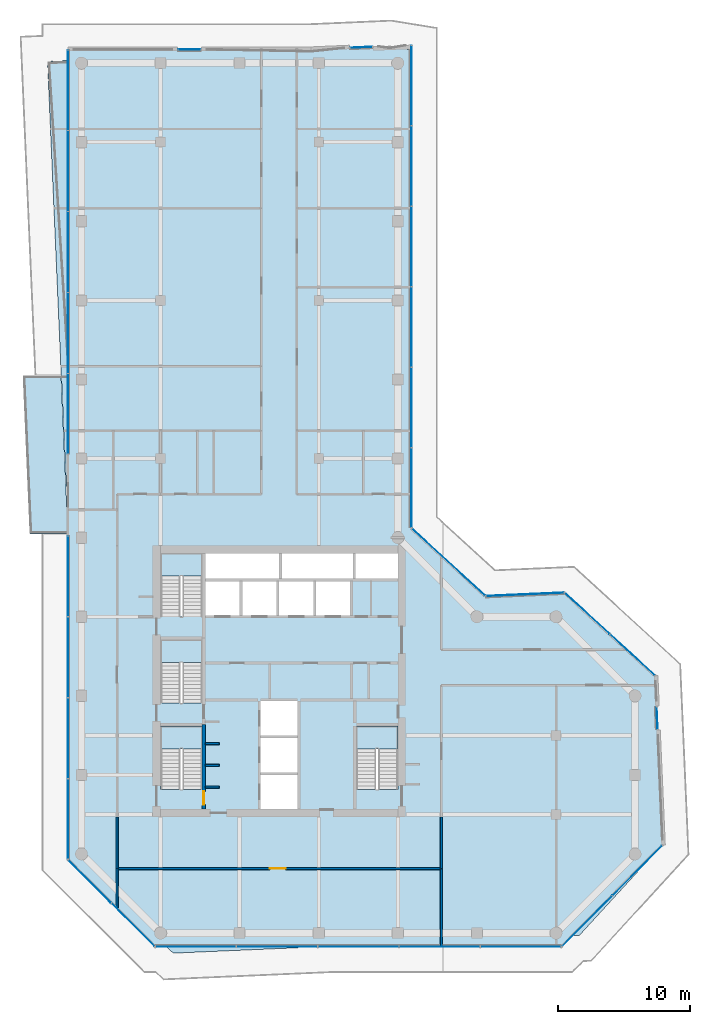
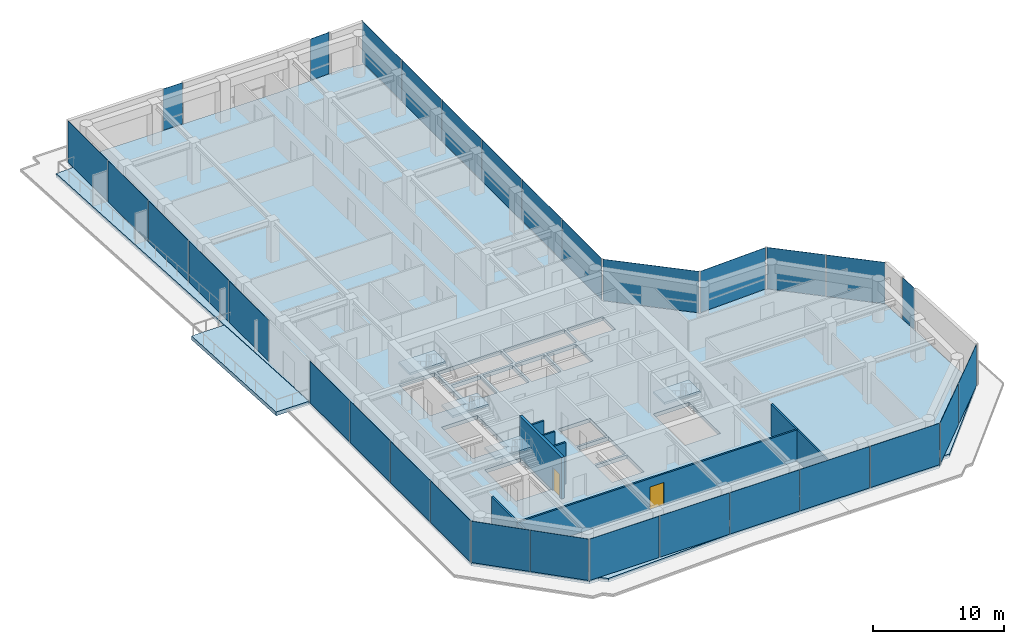
# One storey, part 16 of 21: 31 plates, 9 walls, 6 slabs, 2 doors, 2 openings, 16 elements without a shape of their own.
"""IFC4 building model written with IfcOpenShell, lengths in metres."""

import ifcopenshell
import ifcopenshell.guid

model = None  # the IFC model being written
_history = None  # IfcOwnerHistory: only IFC2X3 demands one
_inside = {}  # id of a spatial element -> (the spatial element, [elements in it])
_under = {}  # id of a project, library or spatial element -> (it, [spatial elements below it])
_declared = {}  # id of a project -> (the project, [libraries it declares])
_typed = {}  # id of a type object -> (the type object, [elements of that type])
_made_of = {}  # id of a material, layer set ... -> (it, [elements and type objects made of it])


def new_model(schema):
    """Start an empty IFC model of exactly this schema.

    Asked for "IFC4X3", IfcOpenShell would pick the latest addendum, in which some entities
    have other attributes; the version numbers below select the first issue.
    IFC2X3 requires an IfcOwnerHistory on every rooted entity: one is made here for all.
    """
    global model, _history
    if schema == "IFC4X3":
        model = ifcopenshell.file(schema_version=(4, 3, 0, 0))
    else:
        model = ifcopenshell.file(schema=schema)
    _inside.clear()
    _under.clear()
    _declared.clear()
    _typed.clear()
    _made_of.clear()
    _history = None
    if model.schema == "IFC2X3":
        org = make("IfcOrganization", Name="unknown")
        user = make(
            "IfcPersonAndOrganization",
            ThePerson=make("IfcPerson", FamilyName="unknown"),
            TheOrganization=org,
        )
        app = make(
            "IfcApplication",
            ApplicationDeveloper=org,
            Version="unknown",
            ApplicationFullName="unknown",
            ApplicationIdentifier="unknown",
        )
        _history = make(
            "IfcOwnerHistory",
            OwningUser=user,
            OwningApplication=app,
            ChangeAction="ADDED",
            CreationDate=0,
        )
    return model


def make(cls, **values):
    """One entity of the class cls with the attributes given. An attribute that is None is left unset."""
    return model.create_entity(
        cls, **{name: value for name, value in values.items() if value is not None}
    )


def rooted(cls, **values):
    """An entity with a GlobalId (a new one), such as an element, a storey or a relation."""
    return make(cls, GlobalId=ifcopenshell.guid.new(), OwnerHistory=_history, **values)


def si_unit(unit_type, name, prefix=None):
    """IfcSIUnit, for example si_unit("LENGTHUNIT", "METRE", prefix="MILLI")."""
    return make("IfcSIUnit", UnitType=unit_type, Prefix=prefix, Name=name)


def assignment(units):
    """IfcUnitAssignment: the units of a project."""
    return None if units is None else make("IfcUnitAssignment", Units=units)


def point(xyz):
    """IfcCartesianPoint."""
    return None if xyz is None else make("IfcCartesianPoint", Coordinates=xyz)


def direction(xyz):
    """IfcDirection."""
    return None if xyz is None else make("IfcDirection", DirectionRatios=xyz)


def frame(location, z_axis=None, x_axis=None):
    """IfcAxis2Placement3D, a coordinate frame: its origin and axes. An axis left out is left unset."""
    return make(
        "IfcAxis2Placement3D",
        Location=point(location),
        Axis=direction(z_axis),
        RefDirection=direction(x_axis),
    )


def frame_2d(location, x_axis=None):
    """IfcAxis2Placement2D, a coordinate frame in the plane: its origin and x axis."""
    return make(
        "IfcAxis2Placement2D", Location=point(location), RefDirection=direction(x_axis)
    )


def origin():
    """The frame at (0, 0, 0) with its axes left unset."""
    return frame((0.0, 0.0, 0.0))


def origin_2d():
    """The frame at (0, 0) in the plane with its x axis left unset."""
    return frame_2d((0.0, 0.0))


def place(relative_to, where):
    """IfcLocalPlacement: puts the frame where relative to a parent placement (None: the world)."""
    return make(
        "IfcLocalPlacement", PlacementRelTo=relative_to, RelativePlacement=where
    )


def context(
    kind, dimensions, precision=None, world=None, true_north=None, identifier=None
):
    """IfcGeometricRepresentationContext, for example the 3D "Model" context."""
    return make(
        "IfcGeometricRepresentationContext",
        ContextIdentifier=identifier,
        ContextType=kind,
        CoordinateSpaceDimension=dimensions,
        Precision=precision,
        WorldCoordinateSystem=world,
        TrueNorth=true_north,
    )


def subcontext(parent, identifier, kind, view, scale=None):
    """IfcGeometricRepresentationSubContext, for example "Body" below "Model"."""
    return make(
        "IfcGeometricRepresentationSubContext",
        ContextIdentifier=identifier,
        ContextType=kind,
        ParentContext=parent,
        TargetScale=scale,
        TargetView=view,
    )


def project(units=None, contexts=None):
    """IfcProject with its units and contexts."""
    return rooted(
        "IfcProject",
        Name="project",
        RepresentationContexts=contexts,
        UnitsInContext=assignment(units),
    )


def spatial(cls, under=None, at=None, **own):
    """A site, building, storey or space (cls), placed at a placement, below another one or the project."""
    s = rooted(cls, ObjectPlacement=at, **own)
    if under is not None:
        _under.setdefault(under.id(), (under, []))[1].append(s)
    return s


def polyline(points):
    """IfcPolyline through the points."""
    return make("IfcPolyline", Points=[point(p) for p in points])


def profile(cls, at=None, kind="AREA", **sizes):
    """A parametric profile (cls). Its sizes go by their IFC names, for example OverallWidth=200.0."""
    return make(cls, ProfileType=kind, Position=at, **sizes)


def rectangle(**sizes):
    """IfcRectangleProfileDef."""
    return profile("IfcRectangleProfileDef", **sizes)


def outline(outer, holes=None, kind="AREA"):
    """IfcArbitraryClosedProfileDef: a profile drawn as a closed curve; with holes, ...WithVoids."""
    if holes is None:
        return make("IfcArbitraryClosedProfileDef", ProfileType=kind, OuterCurve=outer)
    return make(
        "IfcArbitraryProfileDefWithVoids",
        ProfileType=kind,
        OuterCurve=outer,
        InnerCurves=holes,
    )


def extrude(swept, where, along, depth):
    """IfcExtrudedAreaSolid: the profile swept, set in the frame where, extruded along a direction by depth."""
    return make(
        "IfcExtrudedAreaSolid",
        SweptArea=swept,
        Position=where,
        ExtrudedDirection=direction(along),
        Depth=depth,
    )


def shape(context_of_items, identifier, shape_type, items):
    """IfcShapeRepresentation: the items that make up one representation, for example the "Body"."""
    return make(
        "IfcShapeRepresentation",
        ContextOfItems=context_of_items,
        RepresentationIdentifier=identifier,
        RepresentationType=shape_type,
        Items=items,
    )


def material(Name=None, Category=None):
    """IfcMaterial."""
    return make("IfcMaterial", Name=Name, Category=Category)


def layer(
    of_material, thickness, ventilated=None, Name=None, Category=None, Priority=None
):
    """IfcMaterialLayer: one layer of a wall or slab, of a material (None: an air gap)."""
    return make(
        "IfcMaterialLayer",
        Material=of_material,
        LayerThickness=thickness,
        IsVentilated=ventilated,
        Name=Name,
        Category=Category,
        Priority=Priority,
    )


def layer_set(layers, Name=None):
    """IfcMaterialLayerSet."""
    return make("IfcMaterialLayerSet", MaterialLayers=layers, LayerSetName=Name)


def made_of(thing, what):
    """Note that an element or type object is made of a material, layer set ...; save() writes the relation."""
    if what is not None:
        _made_of.setdefault(what.id(), (what, []))[1].append(thing)
    return thing


def type_object(cls, material=None, **own):
    """A type object (cls), such as IfcWallType, which elements share."""
    return made_of(rooted(cls, **own), material)


def element(
    cls,
    number,
    at=None,
    inside=None,
    cuts=None,
    type_object=None,
    material=None,
    context=None,
    identifier="Body",
    shape_type=None,
    held_by="IfcProductDefinitionShape",
    body=None,
    shapes=None,
    **own,
):
    """One element of the class cls, such as IfcWall. Its Tag is "e" and its number.

    at: its placement. inside: the storey or other place that contains it. cuts: it is an
    opening in that element (IfcRelVoidsElement). A single representation is given by context,
    identifier, shape_type and body (its items); several are given by shapes. held_by: the class
    of the entity that holds the representations. save() writes the other relations.
    """
    e = rooted(cls, Tag="e%d" % number, ObjectPlacement=at, **own)
    if body is not None:
        shapes = [shape(context, identifier, shape_type, body)]
    if shapes is not None:
        e.Representation = make(held_by, Representations=shapes)
    if inside is not None:
        _inside.setdefault(inside.id(), (inside, []))[1].append(e)
    if cuts is not None:
        rooted(
            "IfcRelVoidsElement", RelatingBuildingElement=cuts, RelatedOpeningElement=e
        )
    if type_object is not None:
        _typed.setdefault(type_object.id(), (type_object, []))[1].append(e)
    return made_of(e, material)


def fill(opening, filler):
    """IfcRelFillsElement: the door or window that sits in an opening."""
    return rooted(
        "IfcRelFillsElement",
        RelatingOpeningElement=opening,
        RelatedBuildingElement=filler,
    )


def aggregate(whole, parts):
    """IfcRelAggregates: a whole, such as a stair, and the parts it consists of."""
    return rooted("IfcRelAggregates", RelatingObject=whole, RelatedObjects=parts)


def save(model, path):
    """Write the relations noted so far, then the file.

    IfcRelAggregates (storeys below a building ...), IfcRelContainedInSpatialStructure (elements
    in a storey), IfcRelDefinesByType, IfcRelAssociatesMaterial and IfcRelDeclares: one each for
    every whole, place, type object, material and project.
    """
    for whole, parts in _under.values():
        aggregate(whole, parts)
    for where, things in _inside.values():
        rooted(
            "IfcRelContainedInSpatialStructure",
            RelatedElements=things,
            RelatingStructure=where,
        )
    for kind, things in _typed.values():
        rooted("IfcRelDefinesByType", RelatedObjects=things, RelatingType=kind)
    for what, things in _made_of.values():
        rooted("IfcRelAssociatesMaterial", RelatedObjects=things, RelatingMaterial=what)
    for by, libraries in _declared.values():
        rooted("IfcRelDeclares", RelatingContext=by, RelatedDefinitions=libraries)
    model.write(path)


model = new_model("IFC4")

# Units and contexts
model_context = context("Model", 3, precision=1e-05, world=origin(), true_north=direction((0.0, 1.0)))
body_context = subcontext(model_context, "Body", "Model", "MODEL_VIEW")
ifc_project = project(units=[si_unit("LENGTHUNIT", "METRE"), si_unit("AREAUNIT", "SQUARE_METRE"), si_unit("VOLUMEUNIT", "CUBIC_METRE"), si_unit("PLANEANGLEUNIT", "RADIAN"), si_unit("MASSUNIT", "GRAM", prefix="KILO")], contexts=[model_context])

# Site, building, storey
site_placement = place(None, origin())
site = spatial("IfcSite", under=ifc_project, at=site_placement, CompositionType="ELEMENT")
building_placement = place(site_placement, origin())
building = spatial("IfcBuilding", under=site, at=building_placement, Name="Welwitschia Terrace Campus", CompositionType="ELEMENT")
storey_placement = place(building_placement, frame((0.0, 0.0, 180.199951171875)))
storey = spatial("IfcBuildingStorey", under=building, at=storey_placement, Name="L40", CompositionType="ELEMENT", Elevation=180.199951171875)

# Curtain wall, plates
ifc_material_1 = material(Name="Bronze anodised aluminium", Category="aluminium")
ifc_layer_1 = layer(ifc_material_1, 0.1201171875)
ifc_layer_set_1 = layer_set([ifc_layer_1], Name="Bronze anodised aluminium")
curtain_wall_type = type_object("IfcCurtainWallType", Name="Curtain wall CW2 tower 6000", PredefinedType="NOTDEFINED", material=ifc_layer_set_1)
curtain_wall_1_placement = place(storey_placement, origin())
curtain_wall_1 = element("IfcCurtainWall", 1, at=curtain_wall_1_placement, inside=storey, type_object=curtain_wall_type, Name="CW L40.0.0", PredefinedType="NOTDEFINED")
ifc_material_2 = material(Name="Tinted bronze-grey glass", Category="glass")
ifc_layer_2 = layer(ifc_material_2, 0.028076171875)
ifc_layer_set_2 = layer_set([ifc_layer_2], Name="Tinted bronze-grey glass")
plate_type = type_object("IfcPlateType", Name="Glass panel 28 tinted", PredefinedType="CURTAIN_PANEL", material=ifc_layer_set_2)
plate_1_placement = place(storey_placement, frame((0.63134765625, -0.088134765625, 0.0), z_axis=(0.0, 0.0, 1.0), x_axis=(0.707106781187, -0.707106781187, 0.0)))
plate_1 = element("IfcPlate", 2, at=plate_1_placement, type_object=plate_type, Name="Panel L40.0.0.0", PredefinedType="CURTAIN_PANEL", context=body_context, shape_type="SweptSolid", body=[
    extrude(rectangle(XDim=4.579345703125, YDim=0.028076171875, at=origin_2d()), origin(), (0.0, 0.0, 1.0), 3.85009765625),
])
plate_2_placement = place(storey_placement, frame((3.911865234375, -3.36865234375, 0.0), z_axis=(0.0, 0.0, 1.0), x_axis=(0.707106781187, -0.707106781187, 0.0)))
plate_2 = element("IfcPlate", 3, at=plate_2_placement, type_object=plate_type, Name="Panel L40.0.0.1", PredefinedType="CURTAIN_PANEL", context=body_context, shape_type="SweptSolid", body=[
    extrude(rectangle(XDim=4.579345703125, YDim=0.028076171875, at=origin_2d()), origin(), (0.0, 0.0, 1.0), 3.85009765625),
])
aggregate(curtain_wall_1, [plate_1, plate_2])

curtain_wall_2_placement = place(storey_placement, origin())
curtain_wall_2 = element("IfcCurtainWall", 4, at=curtain_wall_2_placement, inside=storey, type_object=curtain_wall_type, Name="CW L40.1.0", PredefinedType="NOTDEFINED")
plate_3_placement = place(storey_placement, frame((8.673583984375, -5.030029296875, 0.0), z_axis=(0.0, 0.0, 1.0), x_axis=(1.0, 0.0, 0.0)))
plate_3 = element("IfcPlate", 5, at=plate_3_placement, type_object=plate_type, Name="Panel L40.1.0.0", PredefinedType="CURTAIN_PANEL", context=body_context, shape_type="SweptSolid", body=[
    extrude(rectangle(XDim=6.08056640625, YDim=0.028076171875, at=origin_2d()), origin(), (0.0, 0.0, 1.0), 3.85009765625),
])
plate_4_placement = place(storey_placement, frame((14.829345703125, -5.030029296875, 0.0), z_axis=(0.0, 0.0, 1.0), x_axis=(1.0, 0.0, 0.0)))
plate_4 = element("IfcPlate", 6, at=plate_4_placement, type_object=plate_type, Name="Panel L40.1.0.1", PredefinedType="CURTAIN_PANEL", context=body_context, shape_type="SweptSolid", body=[
    extrude(rectangle(XDim=6.110595703125, YDim=0.028076171875, at=origin_2d()), origin(), (0.0, 0.0, 1.0), 3.85009765625),
])
plate_5_placement = place(storey_placement, frame((21.0, -5.030029296875, 0.0), z_axis=(0.0, 0.0, 1.0), x_axis=(1.0, 0.0, 0.0)))
plate_5 = element("IfcPlate", 7, at=plate_5_placement, type_object=plate_type, Name="Panel L40.1.0.2", PredefinedType="CURTAIN_PANEL", context=body_context, shape_type="SweptSolid", body=[
    extrude(rectangle(XDim=6.110595703125, YDim=0.028076171875, at=origin_2d()), origin(), (0.0, 0.0, 1.0), 3.85009765625),
])
plate_6_placement = place(storey_placement, frame((27.170654296875, -5.030029296875, 0.0), z_axis=(0.0, 0.0, 1.0), x_axis=(1.0, 0.0, 0.0)))
plate_6 = element("IfcPlate", 8, at=plate_6_placement, type_object=plate_type, Name="Panel L40.1.0.3", PredefinedType="CURTAIN_PANEL", context=body_context, shape_type="SweptSolid", body=[
    extrude(rectangle(XDim=6.110595703125, YDim=0.028076171875, at=origin_2d()), origin(), (0.0, 0.0, 1.0), 3.85009765625),
])
plate_7_placement = place(storey_placement, frame((33.326416015625, -5.030029296875, 0.0), z_axis=(0.0, 0.0, 1.0), x_axis=(1.0, 0.0, 0.0)))
plate_7 = element("IfcPlate", 9, at=plate_7_placement, type_object=plate_type, Name="Panel L40.1.0.4", PredefinedType="CURTAIN_PANEL", context=body_context, shape_type="SweptSolid", body=[
    extrude(rectangle(XDim=6.08056640625, YDim=0.028076171875, at=origin_2d()), origin(), (0.0, 0.0, 1.0), 3.85009765625),
])
aggregate(curtain_wall_2, [plate_3, plate_4, plate_5, plate_6, plate_7])

curtain_wall_3_placement = place(storey_placement, origin())
curtain_wall_3 = element("IfcCurtainWall", 10, at=curtain_wall_3_placement, inside=storey, type_object=curtain_wall_type, Name="CW L40.2.0", PredefinedType="NOTDEFINED")
plate_8_placement = place(storey_placement, frame((38.353515625, -3.092041015625, 0.0), z_axis=(0.0, 0.0, 1.0), x_axis=(0.705048801314, 0.709158788823, 0.0)))
plate_8 = element("IfcPlate", 11, at=plate_8_placement, type_object=plate_type, Name="Panel L40.2.0.0", PredefinedType="CURTAIN_PANEL", context=body_context, shape_type="SweptSolid", body=[
    extrude(rectangle(XDim=5.345703125, YDim=0.028076171875, at=origin_2d()), origin(), (0.0, 0.0, 1.0), 3.85009765625),
])
plate_9_placement = place(storey_placement, frame((42.16455078125, 0.741455078125, 0.0), z_axis=(0.0, 0.0, 1.0), x_axis=(0.705048801314, 0.709158788823, 0.0)))
plate_9 = element("IfcPlate", 12, at=plate_9_placement, type_object=plate_type, Name="Panel L40.2.0.1", PredefinedType="CURTAIN_PANEL", context=body_context, shape_type="SweptSolid", body=[
    extrude(rectangle(XDim=5.345703125, YDim=0.028076171875, at=origin_2d()), origin(), (0.0, 0.0, 1.0), 3.85009765625),
])
aggregate(curtain_wall_3, [plate_8, plate_9])

# Curtain wall, plate
curtain_wall_4_placement = place(storey_placement, origin())
curtain_wall_4 = element("IfcCurtainWall", 13, at=curtain_wall_4_placement, inside=storey, type_object=curtain_wall_type, Name="CW L40.3.S0", PredefinedType="NOTDEFINED")
plate_10_placement = place(storey_placement, frame((43.6708984375, 12.310302734375, 0.0), z_axis=(0.0, 0.0, 1.0), x_axis=(-0.043619387365, 0.999048221582, 0.0)))
plate_10 = element("IfcPlate", 14, at=plate_10_placement, type_object=plate_type, Name="Panel L40.3.S0.0", PredefinedType="CURTAIN_PANEL", context=body_context, shape_type="SweptSolid", body=[
    extrude(rectangle(XDim=1.679931640625, YDim=0.028076171875, at=origin_2d()), origin(), (0.0, 0.0, 1.0), 3.85009765625),
])
aggregate(curtain_wall_4, [plate_10])

# Curtain wall, plates
curtain_wall_5_placement = place(storey_placement, origin())
curtain_wall_5 = element("IfcCurtainWall", 15, at=curtain_wall_5_placement, inside=storey, type_object=curtain_wall_type, Name="CW L40.4.0", PredefinedType="NOTDEFINED")
plate_11_placement = place(storey_placement, frame((41.79833984375, 17.10791015625, 0.0), z_axis=(0.0, 0.0, 1.0), x_axis=(-0.73727733681, 0.675590207616, 0.0)))
plate_11 = element("IfcPlate", 16, at=plate_11_placement, type_object=plate_type, Name="Panel L40.4.0.0", PredefinedType="CURTAIN_PANEL", context=body_context, shape_type="SweptSolid", body=[
    extrude(rectangle(XDim=4.579345703125, YDim=0.028076171875, at=origin_2d()), origin(), (0.0, 0.0, 1.0), 3.85009765625),
])
plate_12_placement = place(storey_placement, frame((38.3779296875, 20.2421875, 0.0), z_axis=(0.0, 0.0, 1.0), x_axis=(-0.73727733681, 0.675590207616, 0.0)))
plate_12 = element("IfcPlate", 17, at=plate_12_placement, type_object=plate_type, Name="Panel L40.4.0.1", PredefinedType="CURTAIN_PANEL", context=body_context, shape_type="SweptSolid", body=[
    extrude(rectangle(XDim=4.579345703125, YDim=0.028076171875, at=origin_2d()), origin(), (0.0, 0.0, 1.0), 3.85009765625),
])
aggregate(curtain_wall_5, [plate_11, plate_12])

# Curtain wall, plate
curtain_wall_6_placement = place(storey_placement, origin())
curtain_wall_6 = element("IfcCurtainWall", 18, at=curtain_wall_6_placement, inside=storey, type_object=curtain_wall_type, Name="CW L40.5.0", PredefinedType="NOTDEFINED")
plate_13_placement = place(storey_placement, frame((33.6484375, 21.69873046875, 0.0), z_axis=(0.0, 0.0, 1.0), x_axis=(-0.999048221582, -0.043619387365, 0.0)))
plate_13 = element("IfcPlate", 19, at=plate_13_placement, type_object=plate_type, Name="Panel L40.5.0.0", PredefinedType="CURTAIN_PANEL", context=body_context, shape_type="SweptSolid", body=[
    extrude(rectangle(XDim=5.8798828125, YDim=0.028076171875, at=origin_2d()), origin(), (0.0, 0.0, 1.0), 3.85009765625),
])
aggregate(curtain_wall_6, [plate_13])

curtain_wall_7_placement = place(storey_placement, origin())
curtain_wall_7 = element("IfcCurtainWall", 20, at=curtain_wall_7_placement, inside=storey, type_object=curtain_wall_type, Name="CW L40.6.0", PredefinedType="NOTDEFINED")
plate_14_placement = place(storey_placement, frame((27.8408203125, 24.143310546875, 0.0), z_axis=(0.0, 0.0, 1.0), x_axis=(-0.73727733681, 0.675590207616, 0.0)))
plate_14 = element("IfcPlate", 21, at=plate_14_placement, type_object=plate_type, Name="Panel L40.6.0.0", PredefinedType="CURTAIN_PANEL", context=body_context, shape_type="SweptSolid", body=[
    extrude(rectangle(XDim=7.504638671875, YDim=0.028076171875, at=origin_2d()), origin(), (0.0, 0.0, 1.0), 3.85009765625),
])
aggregate(curtain_wall_7, [plate_14])

# Curtain wall, plates
curtain_wall_8_placement = place(storey_placement, origin())
curtain_wall_8 = element("IfcCurtainWall", 22, at=curtain_wall_8_placement, inside=storey, type_object=curtain_wall_type, Name="CW L40.7.0", PredefinedType="NOTDEFINED")
plate_15_placement = place(storey_placement, frame((25.030029296875, 29.78759765625, 0.0), z_axis=(0.0, 0.0, 1.0), x_axis=(0.0, 1.0, 0.0)))
plate_15 = element("IfcPlate", 23, at=plate_15_placement, type_object=plate_type, Name="Panel L40.7.0.0", PredefinedType="CURTAIN_PANEL", context=body_context, shape_type="SweptSolid", body=[
    extrude(rectangle(XDim=6.017333984375, YDim=0.028076171875, at=origin_2d()), origin(), (0.0, 0.0, 1.0), 3.85009765625),
])
plate_16_placement = place(storey_placement, frame((25.030029296875, 35.8798828125, 0.0), z_axis=(0.0, 0.0, 1.0), x_axis=(0.0, 1.0, 0.0)))
plate_16 = element("IfcPlate", 24, at=plate_16_placement, type_object=plate_type, Name="Panel L40.7.0.1", PredefinedType="CURTAIN_PANEL", context=body_context, shape_type="SweptSolid", body=[
    extrude(rectangle(XDim=6.04736328125, YDim=0.028076171875, at=origin_2d()), origin(), (0.0, 0.0, 1.0), 3.85009765625),
])
plate_17_placement = place(storey_placement, frame((25.030029296875, 41.987060546875, 0.0), z_axis=(0.0, 0.0, 1.0), x_axis=(0.0, 1.0, 0.0)))
plate_17 = element("IfcPlate", 25, at=plate_17_placement, type_object=plate_type, Name="Panel L40.7.0.2", PredefinedType="CURTAIN_PANEL", context=body_context, shape_type="SweptSolid", body=[
    extrude(rectangle(XDim=6.04736328125, YDim=0.028076171875, at=origin_2d()), origin(), (0.0, 0.0, 1.0), 3.85009765625),
])
plate_18_placement = place(storey_placement, frame((25.030029296875, 48.09423828125, 0.0), z_axis=(0.0, 0.0, 1.0), x_axis=(0.0, 1.0, 0.0)))
plate_18 = element("IfcPlate", 26, at=plate_18_placement, type_object=plate_type, Name="Panel L40.7.0.3", PredefinedType="CURTAIN_PANEL", context=body_context, shape_type="SweptSolid", body=[
    extrude(rectangle(XDim=6.04736328125, YDim=0.028076171875, at=origin_2d()), origin(), (0.0, 0.0, 1.0), 3.85009765625),
])
plate_19_placement = place(storey_placement, frame((25.030029296875, 54.20166015625, 0.0), z_axis=(0.0, 0.0, 1.0), x_axis=(0.0, 1.0, 0.0)))
plate_19 = element("IfcPlate", 27, at=plate_19_placement, type_object=plate_type, Name="Panel L40.7.0.4", PredefinedType="CURTAIN_PANEL", context=body_context, shape_type="SweptSolid", body=[
    extrude(rectangle(XDim=6.04736328125, YDim=0.028076171875, at=origin_2d()), origin(), (0.0, 0.0, 1.0), 3.85009765625),
])
plate_20_placement = place(storey_placement, frame((25.030029296875, 60.293701171875, 0.0), z_axis=(0.0, 0.0, 1.0), x_axis=(0.0, 1.0, 0.0)))
plate_20 = element("IfcPlate", 28, at=plate_20_placement, type_object=plate_type, Name="Panel L40.7.0.5", PredefinedType="CURTAIN_PANEL", context=body_context, shape_type="SweptSolid", body=[
    extrude(rectangle(XDim=6.017333984375, YDim=0.028076171875, at=origin_2d()), origin(), (0.0, 0.0, 1.0), 3.85009765625),
])
aggregate(curtain_wall_8, [plate_15, plate_16, plate_17, plate_18, plate_19, plate_20])

# Curtain wall, plate
curtain_wall_9_placement = place(storey_placement, origin())
curtain_wall_9 = element("IfcCurtainWall", 29, at=curtain_wall_9_placement, inside=storey, type_object=curtain_wall_type, Name="CW L40.8.S0", PredefinedType="NOTDEFINED")
plate_21_placement = place(storey_placement, frame((21.222900390625, 63.1962890625, 0.0), z_axis=(0.0, 0.0, 1.0), x_axis=(-0.999048221582, -0.043619387365, 0.0)))
plate_21 = element("IfcPlate", 30, at=plate_21_placement, type_object=plate_type, Name="Panel L40.8.S0.0", PredefinedType="CURTAIN_PANEL", context=body_context, shape_type="SweptSolid", body=[
    extrude(rectangle(XDim=1.679931640625, YDim=0.028076171875, at=origin_2d()), origin(), (0.0, 0.0, 1.0), 3.85009765625),
])
aggregate(curtain_wall_9, [plate_21])

curtain_wall_10_placement = place(storey_placement, origin())
curtain_wall_10 = element("IfcCurtainWall", 31, at=curtain_wall_10_placement, inside=storey, type_object=curtain_wall_type, Name="CW L40.9.S0", PredefinedType="NOTDEFINED")
plate_22_placement = place(storey_placement, frame((8.19287109375, 63.030029296875, 0.0), z_axis=(0.0, 0.0, 1.0), x_axis=(-1.0, 0.0, 0.0)))
plate_22 = element("IfcPlate", 32, at=plate_22_placement, type_object=plate_type, Name="Panel L40.9.S0.0", PredefinedType="CURTAIN_PANEL", context=body_context, shape_type="SweptSolid", body=[
    extrude(rectangle(XDim=1.679931640625, YDim=0.028076171875, at=origin_2d()), origin(), (0.0, 0.0, 1.0), 3.85009765625),
])
aggregate(curtain_wall_10, [plate_22])

# Curtain wall, plates
curtain_wall_11_placement = place(storey_placement, origin())
curtain_wall_11 = element("IfcCurtainWall", 33, at=curtain_wall_11_placement, inside=storey, type_object=curtain_wall_type, Name="CW L40.10.0", PredefinedType="NOTDEFINED")
plate_23_placement = place(storey_placement, frame((-1.030029296875, 59.942138671875, 0.0), z_axis=(0.0, 0.0, 1.0), x_axis=(0.0, -1.0, 0.0)))
plate_23 = element("IfcPlate", 34, at=plate_23_placement, type_object=plate_type, Name="Panel L40.10.0.0", PredefinedType="CURTAIN_PANEL", context=body_context, shape_type="SweptSolid", body=[
    extrude(rectangle(XDim=6.0556640625, YDim=0.028076171875, at=origin_2d()), origin(), (0.0, 0.0, 1.0), 3.85009765625),
])
plate_24_placement = place(storey_placement, frame((-1.030029296875, 53.8115234375, 0.0), z_axis=(0.0, 0.0, 1.0), x_axis=(0.0, -1.0, 0.0)))
plate_24 = element("IfcPlate", 35, at=plate_24_placement, type_object=plate_type, Name="Panel L40.10.0.1", PredefinedType="CURTAIN_PANEL", context=body_context, shape_type="SweptSolid", body=[
    extrude(rectangle(XDim=6.085693359375, YDim=0.028076171875, at=origin_2d()), origin(), (0.0, 0.0, 1.0), 3.85009765625),
])
plate_25_placement = place(storey_placement, frame((-1.030029296875, 47.665771484375, 0.0), z_axis=(0.0, 0.0, 1.0), x_axis=(0.0, -1.0, 0.0)))
plate_25 = element("IfcPlate", 36, at=plate_25_placement, type_object=plate_type, Name="Panel L40.10.0.2", PredefinedType="CURTAIN_PANEL", context=body_context, shape_type="SweptSolid", body=[
    extrude(rectangle(XDim=6.085693359375, YDim=0.028076171875, at=origin_2d()), origin(), (0.0, 0.0, 1.0), 3.85009765625),
])
plate_26_placement = place(storey_placement, frame((-1.030029296875, 41.520263671875, 0.0), z_axis=(0.0, 0.0, 1.0), x_axis=(0.0, -1.0, 0.0)))
plate_26 = element("IfcPlate", 37, at=plate_26_placement, type_object=plate_type, Name="Panel L40.10.0.3", PredefinedType="CURTAIN_PANEL", context=body_context, shape_type="SweptSolid", body=[
    extrude(rectangle(XDim=6.085693359375, YDim=0.028076171875, at=origin_2d()), origin(), (0.0, 0.0, 1.0), 3.85009765625),
])
plate_27_placement = place(storey_placement, frame((-1.030029296875, 35.389404296875, 0.0), z_axis=(0.0, 0.0, 1.0), x_axis=(0.0, -1.0, 0.0)))
plate_27 = element("IfcPlate", 38, at=plate_27_placement, type_object=plate_type, Name="Panel L40.10.0.4", PredefinedType="CURTAIN_PANEL", context=body_context, shape_type="SweptSolid", body=[
    extrude(rectangle(XDim=6.0556640625, YDim=0.028076171875, at=origin_2d()), origin(), (0.0, 0.0, 1.0), 3.85009765625),
])
aggregate(curtain_wall_11, [plate_23, plate_24, plate_25, plate_26, plate_27])

curtain_wall_12_placement = place(storey_placement, origin())
curtain_wall_12 = element("IfcCurtainWall", 39, at=curtain_wall_12_placement, inside=storey, type_object=curtain_wall_type, Name="CW L40.10.6", PredefinedType="NOTDEFINED")
plate_28_placement = place(storey_placement, frame((-1.030029296875, 23.068115234375, 0.0), z_axis=(0.0, 0.0, 1.0), x_axis=(0.0, -1.0, 0.0)))
plate_28 = element("IfcPlate", 40, at=plate_28_placement, type_object=plate_type, Name="Panel L40.10.6.0", PredefinedType="CURTAIN_PANEL", context=body_context, shape_type="SweptSolid", body=[
    extrude(rectangle(XDim=6.0556640625, YDim=0.028076171875, at=origin_2d()), origin(), (0.0, 0.0, 1.0), 3.85009765625),
])
plate_29_placement = place(storey_placement, frame((-1.030029296875, 16.9375, 0.0), z_axis=(0.0, 0.0, 1.0), x_axis=(0.0, -1.0, 0.0)))
plate_29 = element("IfcPlate", 41, at=plate_29_placement, type_object=plate_type, Name="Panel L40.10.6.1", PredefinedType="CURTAIN_PANEL", context=body_context, shape_type="SweptSolid", body=[
    extrude(rectangle(XDim=6.085693359375, YDim=0.028076171875, at=origin_2d()), origin(), (0.0, 0.0, 1.0), 3.85009765625),
])
plate_30_placement = place(storey_placement, frame((-1.030029296875, 10.791748046875, 0.0), z_axis=(0.0, 0.0, 1.0), x_axis=(0.0, -1.0, 0.0)))
plate_30 = element("IfcPlate", 42, at=plate_30_placement, type_object=plate_type, Name="Panel L40.10.6.2", PredefinedType="CURTAIN_PANEL", context=body_context, shape_type="SweptSolid", body=[
    extrude(rectangle(XDim=6.085693359375, YDim=0.028076171875, at=origin_2d()), origin(), (0.0, 0.0, 1.0), 3.85009765625),
])
plate_31_placement = place(storey_placement, frame((-1.030029296875, 4.6611328125, 0.0), z_axis=(0.0, 0.0, 1.0), x_axis=(0.0, -1.0, 0.0)))
plate_31 = element("IfcPlate", 43, at=plate_31_placement, type_object=plate_type, Name="Panel L40.10.6.3", PredefinedType="CURTAIN_PANEL", context=body_context, shape_type="SweptSolid", body=[
    extrude(rectangle(XDim=6.0556640625, YDim=0.028076171875, at=origin_2d()), origin(), (0.0, 0.0, 1.0), 3.85009765625),
])
aggregate(curtain_wall_12, [plate_28, plate_29, plate_30, plate_31])

# Stair, slab
ifc_material_3 = material(Name="Concrete C40/50", Category="concrete")
stair_type = type_object("IfcStairType", Name="Stair 24R 175 W1500", PredefinedType="HALF_TURN_STAIR", material=ifc_material_3)
stair_1_placement = place(storey_placement, origin())
stair_1 = element("IfcStair", 44, at=stair_1_placement, inside=storey, type_object=stair_type, Name="L40 Exit stair S1", PredefinedType="HALF_TURN_STAIR")
ifc_material_4 = material(Name="Concrete C40/50", Category="concrete")
ifc_layer_3 = layer(ifc_material_4, 0.199951171875)
ifc_layer_set_3 = layer_set([ifc_layer_3], Name="Concrete C40/50")
slab_type_1 = type_object("IfcSlabType", Name="Stair landing RC", PredefinedType="LANDING", material=ifc_layer_set_3)
slab_1_placement = place(storey_placement, frame((0.0, 0.0, 1.900146484375)))
slab_1 = element("IfcSlab", 45, at=slab_1_placement, type_object=slab_type_1, Name="S1 landing 1", PredefinedType="LANDING", context=body_context, shape_type="SweptSolid", body=[
    extrude(outline(polyline([(9.14990234375, 9.97998046875), (9.14990234375, 11.699951171875), (6.0, 11.699951171875), (6.0, 9.97998046875), (9.14990234375, 9.97998046875)])), origin(), (0.0, 0.0, 1.0), 0.199951171875),
])
aggregate(stair_1, [slab_1])

stair_2_placement = place(storey_placement, origin())
stair_2 = element("IfcStair", 46, at=stair_2_placement, inside=storey, type_object=stair_type, Name="L40 Exit stair S3", PredefinedType="HALF_TURN_STAIR")
slab_2_placement = place(storey_placement, frame((0.0, 0.0, 1.900146484375)))
slab_2 = element("IfcSlab", 47, at=slab_2_placement, type_object=slab_type_1, Name="S3 landing 1", PredefinedType="LANDING", context=body_context, shape_type="SweptSolid", body=[
    extrude(outline(polyline([(9.14990234375, 16.530029296875), (9.14990234375, 18.25), (6.0, 18.25), (6.0, 16.530029296875), (9.14990234375, 16.530029296875)])), origin(), (0.0, 0.0, 1.0), 0.199951171875),
])
aggregate(stair_2, [slab_2])

stair_3_placement = place(storey_placement, origin())
stair_3 = element("IfcStair", 48, at=stair_3_placement, inside=storey, type_object=stair_type, Name="L40 Exit stair S4", PredefinedType="HALF_TURN_STAIR")
slab_3_placement = place(storey_placement, frame((0.0, 0.0, 1.900146484375)))
slab_3 = element("IfcSlab", 49, at=slab_3_placement, type_object=slab_type_1, Name="S4 landing 1", PredefinedType="LANDING", context=body_context, shape_type="SweptSolid", body=[
    extrude(outline(polyline([(9.14990234375, 23.080078125), (9.14990234375, 24.800048828125), (6.0, 24.800048828125), (6.0, 23.080078125), (9.14990234375, 23.080078125)])), origin(), (0.0, 0.0, 1.0), 0.199951171875),
])
aggregate(stair_3, [slab_3])

stair_4_placement = place(storey_placement, origin())
stair_4 = element("IfcStair", 50, at=stair_4_placement, inside=storey, type_object=stair_type, Name="L40 Exit stair S2", PredefinedType="HALF_TURN_STAIR")
slab_4_placement = place(storey_placement, frame((0.0, 0.0, 1.900146484375)))
slab_4 = element("IfcSlab", 51, at=slab_4_placement, type_object=slab_type_1, Name="S2 landing 1", PredefinedType="LANDING", context=body_context, shape_type="SweptSolid", body=[
    extrude(outline(polyline([(24.0, 9.97998046875), (24.0, 11.699951171875), (20.85009765625, 11.699951171875), (20.85009765625, 9.97998046875), (24.0, 9.97998046875)])), origin(), (0.0, 0.0, 1.0), 0.199951171875),
])
aggregate(stair_4, [slab_4])

# Slabs
ifc_material_5 = material(Name="Concrete C40/50", Category="concrete")
ifc_layer_4 = layer(ifc_material_5, 0.35009765625)
ifc_layer_set_4 = layer_set([ifc_layer_4], Name="Concrete C40/50")
slab_type_2 = type_object("IfcSlabType", Name="Suspended floor slab 350", PredefinedType="FLOOR", material=ifc_layer_set_4)
slab_5_placement = place(storey_placement, frame((0.0, 0.0, -0.349853515625)))
element("IfcSlab", 52, at=slab_5_placement, inside=storey, type_object=slab_type_2, Name="Floor slab L40", PredefinedType="FLOOR", context=body_context, shape_type="SweptSolid", body=[
    extrude(outline(polyline([(-1.0, 63.0), (17.41650390625, 63.0), (23.399169921875, 63.26123046875), (25.0, 63.0), (25.0, 26.705810546875), (30.640380859375, 21.537353515625), (36.634521484375, 21.799072265625), (43.50146484375, 15.5068359375), (44.06103515625, 2.690673828125), (37.768798828125, -4.17626953125), (37.2138671875, -4.200439453125), (36.414306640625, -5.0), (18.900390625, -5.0), (6.969482421875, -5.52099609375), (6.401123046875, -5.0), (5.585693359375, -5.0), (-1.0, 1.585693359375), (-1.0, 26.030029296875), (-1.011474609375, 26.291015625), (-0.996337890625, 26.29150390625), (-1.5205078125, 38.295654296875), (-1.535400390625, 38.294921875), (-2.575927734375, 62.127197265625), (-1.0, 62.19580078125), (-1.0, 63.0)]), holes=[polyline([(13.60009765625, 5.39990234375), (16.39990234375, 5.39990234375), (16.39990234375, 8.0), (13.60009765625, 8.0), (13.60009765625, 5.39990234375)]), polyline([(6.0, 11.699951171875), (6.0, 6.902099609375), (9.14990234375, 6.902099609375), (9.14990234375, 11.699951171875), (6.0, 11.699951171875)]), polyline([(6.0, 18.25), (6.0, 13.451904296875), (9.14990234375, 13.451904296875), (9.14990234375, 18.25), (6.0, 18.25)]), polyline([(9.39990234375, 22.699951171875), (9.39990234375, 20.10009765625), (12.0, 20.10009765625), (12.0, 22.699951171875), (9.39990234375, 22.699951171875)]), polyline([(12.199951171875, 22.699951171875), (12.199951171875, 20.10009765625), (14.800048828125, 20.10009765625), (14.800048828125, 22.699951171875), (12.199951171875, 22.699951171875)]), polyline([(6.0, 24.800048828125), (6.0, 20.001953125), (9.14990234375, 20.001953125), (9.14990234375, 24.800048828125), (6.0, 24.800048828125)]), polyline([(9.39990234375, 24.800048828125), (9.39990234375, 22.89990234375), (15.0, 22.89990234375), (15.0, 24.800048828125), (9.39990234375, 24.800048828125)]), polyline([(20.85009765625, 6.902099609375), (24.0, 6.902099609375), (24.0, 11.699951171875), (20.85009765625, 11.699951171875), (20.85009765625, 6.902099609375)]), polyline([(13.60009765625, 10.800048828125), (13.60009765625, 8.199951171875), (16.39990234375, 8.199951171875), (16.39990234375, 10.800048828125), (13.60009765625, 10.800048828125)]), polyline([(13.60009765625, 13.60009765625), (13.60009765625, 11.0), (16.39990234375, 11.0), (16.39990234375, 13.60009765625), (13.60009765625, 13.60009765625)]), polyline([(15.0, 22.699951171875), (15.0, 20.10009765625), (17.60009765625, 20.10009765625), (17.60009765625, 22.699951171875), (15.0, 22.699951171875)]), polyline([(17.800048828125, 22.699951171875), (17.800048828125, 20.10009765625), (20.39990234375, 20.10009765625), (20.39990234375, 22.699951171875), (17.800048828125, 22.699951171875)]), polyline([(15.199951171875, 24.800048828125), (15.199951171875, 22.89990234375), (20.60009765625, 22.89990234375), (20.60009765625, 24.800048828125), (15.199951171875, 24.800048828125)]), polyline([(20.800048828125, 24.800048828125), (20.800048828125, 22.89990234375), (24.0, 22.89990234375), (24.0, 24.800048828125), (20.800048828125, 24.800048828125)])]), origin(), (0.0, 0.0, 1.0), 0.349853515625),
])
ifc_material_6 = material(Name="Concrete C40/50", Category="concrete")
ifc_layer_5 = layer(ifc_material_6, 0.35009765625)
ifc_layer_set_5 = layer_set([ifc_layer_5], Name="Concrete C40/50")
slab_type_3 = type_object("IfcSlabType", Name="Terrace slab 350", PredefinedType="FLOOR", material=ifc_layer_set_5)
slab_6_placement = place(storey_placement, frame((0.0, 0.0, -0.349853515625)))
element("IfcSlab", 53, at=slab_6_placement, inside=storey, type_object=slab_type_3, Name="Terrace slab", PredefinedType="FLOOR", context=body_context, shape_type="SweptSolid", body=[
    extrude(outline(polyline([(-3.914306640625, 26.29296875), (-4.438232421875, 38.29296875), (-1.550537109375, 38.29296875), (-1.026611328125, 26.29296875), (-3.914306640625, 26.29296875)])), origin(), (0.0, 0.0, 1.0), 0.349853515625),
])

# Walls
ifc_material_7 = material(Name="Concrete C50/60", Category="concrete")
ifc_layer_6 = layer(ifc_material_7, 0.14990234375)
ifc_layer_set_6 = layer_set([ifc_layer_6], Name="Concrete C50/60")
wall_type_1 = type_object("IfcWallType", Name="Core wall 150 Concrete C50/60", PredefinedType="SHEAR", material=ifc_layer_set_6)
for number, where, z_axis, x_axis, name in (
    (54, (9.39990234375, 7.074951171875, 0.0), (0.0, 0.0, 1.0), (1.0, 0.0, 0.0), "Core wall"),
    (55, (9.39990234375, 8.72509765625, 0.0), (0.0, 0.0, 1.0), (1.0, 0.0, 0.0), "Core wall"),
    (56, (9.39990234375, 10.375, 0.0), (0.0, 0.0, 1.0), (1.0, 0.0, 0.0), "Core wall"),
):
    element("IfcWall", number, at=place(storey_placement, frame(where, z_axis=z_axis, x_axis=x_axis)), inside=storey, type_object=wall_type_1, Name=name, PredefinedType="SHEAR", context=body_context, shape_type="SweptSolid", body=[
        extrude(rectangle(XDim=1.050048828125, YDim=0.14990234375, at=frame_2d((0.52490234375, 0.0))), origin(), (0.0, 0.0, 1.0), 3.85009765625),
    ])

# Wall, opening, door
ifc_material_8 = material(Name="Concrete C50/60", Category="concrete")
ifc_layer_7 = layer(ifc_material_8, 0.25)
ifc_layer_set_7 = layer_set([ifc_layer_7], Name="Concrete C50/60")
wall_type_2 = type_object("IfcWallType", Name="Core wall 250 Concrete C50/60", PredefinedType="SHEAR", material=ifc_layer_set_7)
wall_1_placement = place(storey_placement, frame((9.27490234375, 11.824951171875, 0.0), z_axis=(0.0, 0.0, 1.0), x_axis=(0.0, -1.0, 0.0)))
wall_1 = element("IfcWall", 57, at=wall_1_placement, inside=storey, type_object=wall_type_2, Name="Core wall", PredefinedType="SHEAR", context=body_context, shape_type="SweptSolid", body=[
    extrude(rectangle(XDim=6.425048828125, YDim=0.25, at=frame_2d((3.21240234375, 0.0))), origin(), (0.0, 0.0, 1.0), 3.85009765625),
])
opening_1_placement = place(wall_1_placement, frame((5.074951171875, 0.0, 0.0)))
opening_1 = element("IfcOpeningElement", 58, at=opening_1_placement, cuts=wall_1, Name="Opening DS10", PredefinedType="OPENING", context=body_context, shape_type="SweptSolid", body=[
    extrude(rectangle(XDim=1.0, YDim=2.10009765625, at=frame_2d((0.5, 1.050048828125))), frame((0.0, 0.135009765625, 0.0), z_axis=(0.0, -1.0, 0.0), x_axis=(1.0, 0.0, 0.0)), (0.0, 0.0, 1.0), 0.27001953125),
])
ifc_material_9 = material(Name="Steel S275", Category="steel")
door_type_1 = type_object("IfcDoorType", Name="Core door DS10", OperationType="SINGLE_SWING_LEFT", PredefinedType="DOOR", material=ifc_material_9)
door_1_placement = place(opening_1_placement, origin())
door_1 = element("IfcDoor", 59, at=door_1_placement, inside=storey, type_object=door_type_1, Name="Door S1-FL", OperationType="SINGLE_SWING_RIGHT", OverallHeight=2.10009765625, OverallWidth=1.0, PredefinedType="DOOR", context=body_context, shape_type="SweptSolid", body=[
    extrude(rectangle(XDim=1.0, YDim=2.10009765625, at=frame_2d((0.5, 1.050048828125))), frame((0.0, 0.02490234375, 0.0), z_axis=(0.0, -1.0, 0.0), x_axis=(1.0, 0.0, 0.0)), (0.0, 0.0, 1.0), 0.050048828125),
])
fill(opening_1, door_1)

# Walls
ifc_material_10 = material(Name="Gypsum board on steel studs", Category="steel")
ifc_layer_8 = layer(ifc_material_10, 0.14990234375)
ifc_layer_set_8 = layer_set([ifc_layer_8], Name="Gypsum board on steel studs")
wall_type_3 = type_object("IfcWallType", Name="Corridor partition 150 EI 30", PredefinedType="PARTITIONING", material=ifc_layer_set_8)
wall_2_placement = place(storey_placement, frame((2.699951171875, -2.07177734375, 0.0), z_axis=(0.0, 0.0, 1.0), x_axis=(0.0, 1.0, 0.0)))
element("IfcWall", 60, at=wall_2_placement, inside=storey, type_object=wall_type_3, Name="Partition", PredefinedType="PARTITIONING", context=body_context, shape_type="SweptSolid", body=[
    extrude(rectangle(XDim=2.9716796875, YDim=0.14990234375, at=frame_2d((1.48583984375, 0.0))), origin(), (0.0, 0.0, 1.0), 2.880126953125),
])
wall_3_placement = place(storey_placement, frame((2.699951171875, 0.89990234375, 0.0), z_axis=(0.0, 0.0, 1.0), x_axis=(0.0, 1.0, 0.0)))
element("IfcWall", 61, at=wall_3_placement, inside=storey, type_object=wall_type_3, Name="Partition", PredefinedType="PARTITIONING", context=body_context, shape_type="SweptSolid", body=[
    extrude(rectangle(XDim=3.900146484375, YDim=0.14990234375, at=frame_2d((1.9501953125, 0.0))), origin(), (0.0, 0.0, 1.0), 2.880126953125),
])
wall_4_placement = place(storey_placement, frame((27.300048828125, -4.97998046875, 0.0), z_axis=(0.0, 0.0, 1.0), x_axis=(0.0, 1.0, 0.0)))
element("IfcWall", 62, at=wall_4_placement, inside=storey, type_object=wall_type_3, Name="Partition", PredefinedType="PARTITIONING", context=body_context, shape_type="SweptSolid", body=[
    extrude(rectangle(XDim=5.8798828125, YDim=0.14990234375, at=frame_2d((2.93994140625, 0.0))), origin(), (0.0, 0.0, 1.0), 2.880126953125),
])

# Wall, opening, door
wall_5_placement = place(storey_placement, frame((27.300048828125, 0.89990234375, 0.0), z_axis=(0.0, 0.0, 1.0), x_axis=(-1.0, 0.0, 0.0)))
wall_5 = element("IfcWall", 63, at=wall_5_placement, inside=storey, type_object=wall_type_3, Name="Partition", PredefinedType="PARTITIONING", context=body_context, shape_type="SweptSolid", body=[
    extrude(rectangle(XDim=24.60009765625, YDim=0.14990234375, at=frame_2d((12.300048828125, 0.0))), origin(), (0.0, 0.0, 1.0), 2.880126953125),
])
opening_2_placement = place(wall_5_placement, frame((11.800048828125, 0.0, 0.0)))
opening_2 = element("IfcOpeningElement", 64, at=opening_2_placement, cuts=wall_5, Name="Opening DI12", PredefinedType="OPENING", context=body_context, shape_type="SweptSolid", body=[
    extrude(rectangle(XDim=1.199951171875, YDim=2.10009765625, at=frame_2d((0.60009765625, 1.050048828125))), frame((0.0, 0.0849609375, 0.0), z_axis=(0.0, -1.0, 0.0), x_axis=(1.0, 0.0, 0.0)), (0.0, 0.0, 1.0), 0.169921875),
])
ifc_material_11 = material(Name="Timber veneered door", Category="wood")
door_type_2 = type_object("IfcDoorType", Name="Interior door DI12", OperationType="NOTDEFINED", PredefinedType="DOOR", material=ifc_material_11)
door_2_placement = place(opening_2_placement, origin())
door_2 = element("IfcDoor", 65, at=door_2_placement, inside=storey, type_object=door_type_2, Name="Door L40 805", OperationType="SINGLE_SWING_RIGHT", OverallHeight=2.10009765625, OverallWidth=1.199951171875, PredefinedType="DOOR", context=body_context, shape_type="SweptSolid", body=[
    extrude(rectangle(XDim=1.199951171875, YDim=2.10009765625, at=frame_2d((0.60009765625, 1.050048828125))), frame((0.0, 0.02490234375, 0.0), z_axis=(0.0, -1.0, 0.0), x_axis=(1.0, 0.0, 0.0)), (0.0, 0.0, 1.0), 0.050048828125),
])
fill(opening_2, door_2)

# Wall
wall_6_placement = place(storey_placement, frame((27.300048828125, 0.89990234375, 0.0), z_axis=(0.0, 0.0, 1.0), x_axis=(0.0, 1.0, 0.0)))
element("IfcWall", 66, at=wall_6_placement, inside=storey, type_object=wall_type_3, Name="Partition", PredefinedType="PARTITIONING", context=body_context, shape_type="SweptSolid", body=[
    extrude(rectangle(XDim=3.900146484375, YDim=0.14990234375, at=frame_2d((1.9501953125, 0.0))), origin(), (0.0, 0.0, 1.0), 2.880126953125),
])

save(model, "model.ifc")
